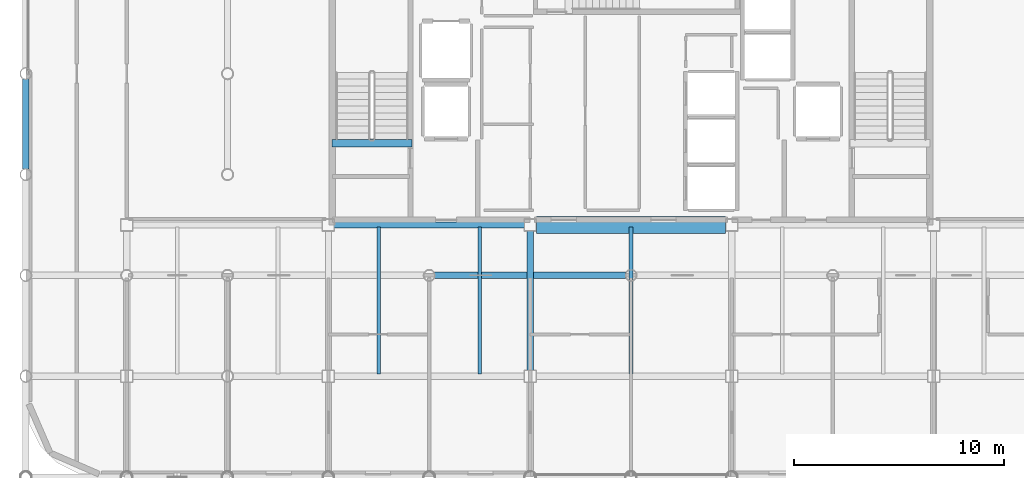
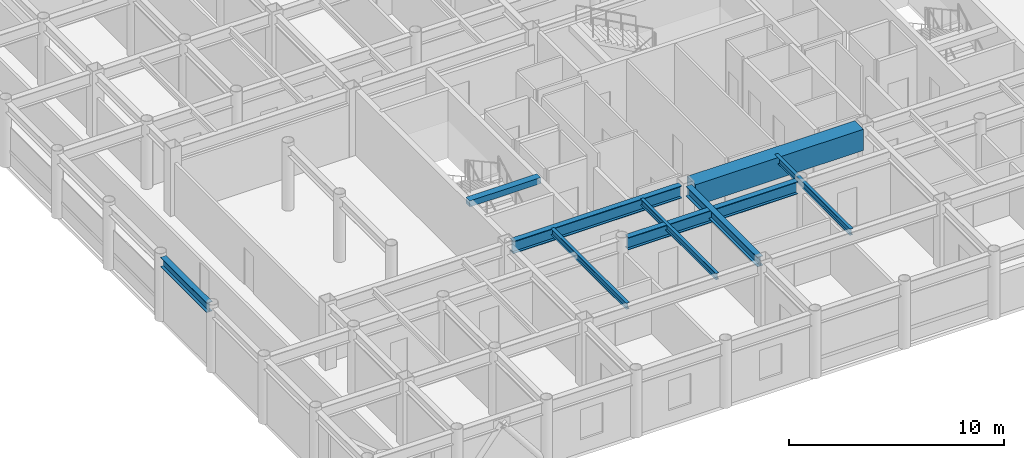
# One storey, part 5 of 23: 9 beams.
"""IFC4 building model written with IfcOpenShell, lengths in metres."""

import ifcopenshell
import ifcopenshell.guid

model = None  # the IFC model being written
_history = None  # IfcOwnerHistory: only IFC2X3 demands one
_inside = {}  # id of a spatial element -> (the spatial element, [elements in it])
_under = {}  # id of a project, library or spatial element -> (it, [spatial elements below it])
_declared = {}  # id of a project -> (the project, [libraries it declares])
_typed = {}  # id of a type object -> (the type object, [elements of that type])
_made_of = {}  # id of a material, layer set ... -> (it, [elements and type objects made of it])


def new_model(schema):
    """Start an empty IFC model of exactly this schema.

    Asked for "IFC4X3", IfcOpenShell would pick the latest addendum, in which some entities
    have other attributes; the version numbers below select the first issue.
    IFC2X3 requires an IfcOwnerHistory on every rooted entity: one is made here for all.
    """
    global model, _history
    if schema == "IFC4X3":
        model = ifcopenshell.file(schema_version=(4, 3, 0, 0))
    else:
        model = ifcopenshell.file(schema=schema)
    _inside.clear()
    _under.clear()
    _declared.clear()
    _typed.clear()
    _made_of.clear()
    _history = None
    if model.schema == "IFC2X3":
        org = make("IfcOrganization", Name="unknown")
        user = make(
            "IfcPersonAndOrganization",
            ThePerson=make("IfcPerson", FamilyName="unknown"),
            TheOrganization=org,
        )
        app = make(
            "IfcApplication",
            ApplicationDeveloper=org,
            Version="unknown",
            ApplicationFullName="unknown",
            ApplicationIdentifier="unknown",
        )
        _history = make(
            "IfcOwnerHistory",
            OwningUser=user,
            OwningApplication=app,
            ChangeAction="ADDED",
            CreationDate=0,
        )
    return model


def make(cls, **values):
    """One entity of the class cls with the attributes given. An attribute that is None is left unset."""
    return model.create_entity(
        cls, **{name: value for name, value in values.items() if value is not None}
    )


def rooted(cls, **values):
    """An entity with a GlobalId (a new one), such as an element, a storey or a relation."""
    return make(cls, GlobalId=ifcopenshell.guid.new(), OwnerHistory=_history, **values)


def si_unit(unit_type, name, prefix=None):
    """IfcSIUnit, for example si_unit("LENGTHUNIT", "METRE", prefix="MILLI")."""
    return make("IfcSIUnit", UnitType=unit_type, Prefix=prefix, Name=name)


def assignment(units):
    """IfcUnitAssignment: the units of a project."""
    return None if units is None else make("IfcUnitAssignment", Units=units)


def point(xyz):
    """IfcCartesianPoint."""
    return None if xyz is None else make("IfcCartesianPoint", Coordinates=xyz)


def direction(xyz):
    """IfcDirection."""
    return None if xyz is None else make("IfcDirection", DirectionRatios=xyz)


def frame(location, z_axis=None, x_axis=None):
    """IfcAxis2Placement3D, a coordinate frame: its origin and axes. An axis left out is left unset."""
    return make(
        "IfcAxis2Placement3D",
        Location=point(location),
        Axis=direction(z_axis),
        RefDirection=direction(x_axis),
    )


def frame_2d(location, x_axis=None):
    """IfcAxis2Placement2D, a coordinate frame in the plane: its origin and x axis."""
    return make(
        "IfcAxis2Placement2D", Location=point(location), RefDirection=direction(x_axis)
    )


def origin():
    """The frame at (0, 0, 0) with its axes left unset."""
    return frame((0.0, 0.0, 0.0))


def origin_2d():
    """The frame at (0, 0) in the plane with its x axis left unset."""
    return frame_2d((0.0, 0.0))


def place(relative_to, where):
    """IfcLocalPlacement: puts the frame where relative to a parent placement (None: the world)."""
    return make(
        "IfcLocalPlacement", PlacementRelTo=relative_to, RelativePlacement=where
    )


def context(
    kind, dimensions, precision=None, world=None, true_north=None, identifier=None
):
    """IfcGeometricRepresentationContext, for example the 3D "Model" context."""
    return make(
        "IfcGeometricRepresentationContext",
        ContextIdentifier=identifier,
        ContextType=kind,
        CoordinateSpaceDimension=dimensions,
        Precision=precision,
        WorldCoordinateSystem=world,
        TrueNorth=true_north,
    )


def subcontext(parent, identifier, kind, view, scale=None):
    """IfcGeometricRepresentationSubContext, for example "Body" below "Model"."""
    return make(
        "IfcGeometricRepresentationSubContext",
        ContextIdentifier=identifier,
        ContextType=kind,
        ParentContext=parent,
        TargetScale=scale,
        TargetView=view,
    )


def project(units=None, contexts=None):
    """IfcProject with its units and contexts."""
    return rooted(
        "IfcProject",
        Name="project",
        RepresentationContexts=contexts,
        UnitsInContext=assignment(units),
    )


def spatial(cls, under=None, at=None, **own):
    """A site, building, storey or space (cls), placed at a placement, below another one or the project."""
    s = rooted(cls, ObjectPlacement=at, **own)
    if under is not None:
        _under.setdefault(under.id(), (under, []))[1].append(s)
    return s


def profile(cls, at=None, kind="AREA", **sizes):
    """A parametric profile (cls). Its sizes go by their IFC names, for example OverallWidth=200.0."""
    return make(cls, ProfileType=kind, Position=at, **sizes)


def rectangle(**sizes):
    """IfcRectangleProfileDef."""
    return profile("IfcRectangleProfileDef", **sizes)


def i_section(**sizes):
    """IfcIShapeProfileDef."""
    return profile("IfcIShapeProfileDef", **sizes)


def extrude(swept, where, along, depth):
    """IfcExtrudedAreaSolid: the profile swept, set in the frame where, extruded along a direction by depth."""
    return make(
        "IfcExtrudedAreaSolid",
        SweptArea=swept,
        Position=where,
        ExtrudedDirection=direction(along),
        Depth=depth,
    )


def shape(context_of_items, identifier, shape_type, items):
    """IfcShapeRepresentation: the items that make up one representation, for example the "Body"."""
    return make(
        "IfcShapeRepresentation",
        ContextOfItems=context_of_items,
        RepresentationIdentifier=identifier,
        RepresentationType=shape_type,
        Items=items,
    )


def material(Name=None, Category=None):
    """IfcMaterial."""
    return make("IfcMaterial", Name=Name, Category=Category)


def material_profile(
    of_material, cross_section, Name=None, Category=None, Priority=None
):
    """IfcMaterialProfile: a cross section and its material."""
    return make(
        "IfcMaterialProfile",
        Name=Name,
        Material=of_material,
        Profile=cross_section,
        Priority=Priority,
        Category=Category,
    )


def profile_set(profiles, Name=None, composite=None):
    """IfcMaterialProfileSet."""
    return make(
        "IfcMaterialProfileSet",
        Name=Name,
        MaterialProfiles=profiles,
        CompositeProfile=composite,
    )


def made_of(thing, what):
    """Note that an element or type object is made of a material, layer set ...; save() writes the relation."""
    if what is not None:
        _made_of.setdefault(what.id(), (what, []))[1].append(thing)
    return thing


def type_object(cls, material=None, **own):
    """A type object (cls), such as IfcWallType, which elements share."""
    return made_of(rooted(cls, **own), material)


def element(
    cls,
    number,
    at=None,
    inside=None,
    cuts=None,
    type_object=None,
    material=None,
    context=None,
    identifier="Body",
    shape_type=None,
    held_by="IfcProductDefinitionShape",
    body=None,
    shapes=None,
    **own,
):
    """One element of the class cls, such as IfcWall. Its Tag is "e" and its number.

    at: its placement. inside: the storey or other place that contains it. cuts: it is an
    opening in that element (IfcRelVoidsElement). A single representation is given by context,
    identifier, shape_type and body (its items); several are given by shapes. held_by: the class
    of the entity that holds the representations. save() writes the other relations.
    """
    e = rooted(cls, Tag="e%d" % number, ObjectPlacement=at, **own)
    if body is not None:
        shapes = [shape(context, identifier, shape_type, body)]
    if shapes is not None:
        e.Representation = make(held_by, Representations=shapes)
    if inside is not None:
        _inside.setdefault(inside.id(), (inside, []))[1].append(e)
    if cuts is not None:
        rooted(
            "IfcRelVoidsElement", RelatingBuildingElement=cuts, RelatedOpeningElement=e
        )
    if type_object is not None:
        _typed.setdefault(type_object.id(), (type_object, []))[1].append(e)
    return made_of(e, material)


def aggregate(whole, parts):
    """IfcRelAggregates: a whole, such as a stair, and the parts it consists of."""
    return rooted("IfcRelAggregates", RelatingObject=whole, RelatedObjects=parts)


def save(model, path):
    """Write the relations noted so far, then the file.

    IfcRelAggregates (storeys below a building ...), IfcRelContainedInSpatialStructure (elements
    in a storey), IfcRelDefinesByType, IfcRelAssociatesMaterial and IfcRelDeclares: one each for
    every whole, place, type object, material and project.
    """
    for whole, parts in _under.values():
        aggregate(whole, parts)
    for where, things in _inside.values():
        rooted(
            "IfcRelContainedInSpatialStructure",
            RelatedElements=things,
            RelatingStructure=where,
        )
    for kind, things in _typed.values():
        rooted("IfcRelDefinesByType", RelatedObjects=things, RelatingType=kind)
    for what, things in _made_of.values():
        rooted("IfcRelAssociatesMaterial", RelatedObjects=things, RelatingMaterial=what)
    for by, libraries in _declared.values():
        rooted("IfcRelDeclares", RelatingContext=by, RelatedDefinitions=libraries)
    model.write(path)


model = new_model("IFC4")

# Units and contexts
model_context = context("Model", 3, precision=1e-05, world=origin(), true_north=direction((0.0, 1.0)))
body_context = subcontext(model_context, "Body", "Model", "MODEL_VIEW")
ifc_project = project(units=[si_unit("LENGTHUNIT", "METRE"), si_unit("AREAUNIT", "SQUARE_METRE"), si_unit("VOLUMEUNIT", "CUBIC_METRE"), si_unit("PLANEANGLEUNIT", "RADIAN"), si_unit("MASSUNIT", "GRAM", prefix="KILO")], contexts=[model_context])

# Site, building, storey
site_placement = place(None, origin())
site = spatial("IfcSite", under=ifc_project, at=site_placement, CompositionType="ELEMENT")
building_placement = place(site_placement, origin())
building = spatial("IfcBuilding", under=site, at=building_placement, Name="Kallvorn Hotel Tower", CompositionType="ELEMENT")
storey_placement = place(building_placement, frame((0.0, 0.0, 237.699951171875)))
storey = spatial("IfcBuildingStorey", under=building, at=storey_placement, Name="L59", CompositionType="ELEMENT", Elevation=237.699951171875)

# Beams
ifc_material_1 = material(Name="Structural steel S355JR", Category="steel")
ifc_material_profile_1 = material_profile(ifc_material_1, i_section(OverallWidth=0.300048828125, OverallDepth=0.550048828125, WebThickness=0.014892578125, FlangeThickness=0.029052734375, at=origin_2d()), Name="HE 550 B")
ifc_profile_set_1 = profile_set([ifc_material_profile_1], Name="Structural steel S355JR")
beam_type_1 = type_object("IfcBeamType", Name="BM_HE550B", PredefinedType="SPANDREL", material=ifc_profile_set_1)
beam_1_placement = place(storey_placement, frame((-28.800048828125, -4.54541015625, 3.39501953125), z_axis=(0.0, 1.0, 0.0), x_axis=(-1.0, 0.0, 0.0)))
element("IfcBeam", 1, at=beam_1_placement, inside=storey, type_object=beam_type_1, Name="L60 Primary Y-Girder 76", PredefinedType="SPANDREL", context=body_context, shape_type="SweptSolid", body=[
    extrude(i_section(OverallWidth=0.300048828125, OverallDepth=0.550048828125, WebThickness=0.014892578125, FlangeThickness=0.029052734375, at=origin_2d()), origin(), (0.0, 0.0, 1.0), 4.291015625),
])
beam_2_placement = place(storey_placement, frame((-4.800048828125, -14.125, 3.39501953125), z_axis=(0.0, 1.0, 0.0), x_axis=(-1.0, 0.0, 0.0)))
element("IfcBeam", 2, at=beam_2_placement, inside=storey, type_object=beam_type_1, Name="L60 Primary Y-Girder 106", PredefinedType="SPANDREL", context=body_context, shape_type="SweptSolid", body=[
    extrude(i_section(OverallWidth=0.300048828125, OverallDepth=0.550048828125, WebThickness=0.014892578125, FlangeThickness=0.029052734375, at=origin_2d()), origin(), (0.0, 0.0, 1.0), 6.64990234375),
])
ifc_material_2 = material(Name="Structural steel S355JR", Category="steel")
ifc_material_profile_2 = material_profile(ifc_material_2, i_section(OverallWidth=0.300048828125, OverallDepth=0.699951171875, WebThickness=0.01708984375, FlangeThickness=0.031982421875, at=origin_2d()), Name="HE 700 B")
ifc_profile_set_2 = profile_set([ifc_material_profile_2], Name="Structural steel S355JR")
beam_type_2 = type_object("IfcBeamType", Name="BM_HE700B", PredefinedType="BEAM", material=ifc_profile_set_2)
beam_3_placement = place(storey_placement, frame((-9.345458984375, -9.60009765625, 3.320068359375), z_axis=(1.0, 0.0, 0.0), x_axis=(0.0, 1.0, 0.0)))
element("IfcBeam", 3, at=beam_3_placement, inside=storey, type_object=beam_type_2, Name="L60 Primary X-Girder 26", PredefinedType="BEAM", context=body_context, shape_type="SweptSolid", body=[
    extrude(i_section(OverallWidth=0.300048828125, OverallDepth=0.699951171875, WebThickness=0.01708984375, FlangeThickness=0.031982421875, at=origin_2d()), origin(), (0.0, 0.0, 1.0), 9.091064453125),
])
beam_4_placement = place(storey_placement, frame((-14.125, -7.199951171875, 3.320068359375), z_axis=(1.0, 0.0, 0.0), x_axis=(0.0, 1.0, 0.0)))
element("IfcBeam", 4, at=beam_4_placement, inside=storey, type_object=beam_type_2, Name="L60 Primary X-Girder 33", PredefinedType="BEAM", context=body_context, shape_type="SweptSolid", body=[
    extrude(i_section(OverallWidth=0.300048828125, OverallDepth=0.699951171875, WebThickness=0.01708984375, FlangeThickness=0.031982421875, at=origin_2d()), origin(), (0.0, 0.0, 1.0), 9.050048828125),
])
ifc_material_3 = material(Name="Structural steel S355JR", Category="steel")
ifc_material_profile_3 = material_profile(ifc_material_3, i_section(OverallWidth=0.169921875, OverallDepth=0.360107421875, WebThickness=0.008056640625, FlangeThickness=0.0126953125, at=origin_2d()), Name="IPE 360")
ifc_profile_set_3 = profile_set([ifc_material_profile_3], Name="Structural steel S355JR")
beam_type_3 = type_object("IfcBeamType", Name="BM_IPE360", PredefinedType="JOIST", material=ifc_profile_set_3)
for number, where, z_axis, x_axis, name in (
    (5, (-12.0, -14.300048828125, 3.489990234375), (0.0, 1.0, 0.0), (-1.0, 0.0, 0.0), "L60 Secondary Composite Joist 196"),
    (6, (-7.199951171875, -14.300048828125, 3.489990234375), (0.0, 1.0, 0.0), (-1.0, 0.0, 0.0), "L60 Secondary Composite Joist 198"),
    (7, (0.0, -14.300048828125, 3.489990234375), (0.0, 1.0, 0.0), (-1.0, 0.0, 0.0), "L60 Secondary Composite Joist 200"),
):
    element("IfcBeam", number, at=place(storey_placement, frame(where, z_axis=z_axis, x_axis=x_axis)), inside=storey, type_object=beam_type_3, Name=name, PredefinedType="JOIST", context=body_context, shape_type="SweptSolid", body=[
        extrude(i_section(OverallWidth=0.169921875, OverallDepth=0.360107421875, WebThickness=0.008056640625, FlangeThickness=0.0126953125, at=origin_2d()), origin(), (0.0, 0.0, 1.0), 7.0),
    ])
ifc_material_4 = material(Name="Concrete C50/60", Category="concrete")
ifc_material_profile_4 = material_profile(ifc_material_4, rectangle(XDim=0.360107421875, YDim=0.340087890625, at=origin_2d()), Name="RC 360x340")
ifc_profile_set_4 = profile_set([ifc_material_profile_4], Name="Concrete C50/60")
beam_type_4 = type_object("IfcBeamType", Name="BM_RC_400x360", PredefinedType="BEAM", material=ifc_profile_set_4)
beam_5_placement = place(storey_placement, frame((-10.419921875, -3.31005859375, 3.5), z_axis=(-1.0, 0.0, 0.0), x_axis=(0.0, -1.0, 0.0)))
element("IfcBeam", 8, at=beam_5_placement, inside=storey, type_object=beam_type_4, Name="L60 Stair ST1 Arrival Trimmer Beam", PredefinedType="BEAM", context=body_context, shape_type="SweptSolid", body=[
    extrude(rectangle(XDim=0.360107421875, YDim=0.340087890625, at=origin_2d()), origin(), (0.0, 0.0, 1.0), 3.820068359375),
])
ifc_material_5 = material(Name="Concrete C50/60", Category="concrete")
ifc_material_profile_5 = material_profile(ifc_material_5, rectangle(XDim=0.800048828125, YDim=1.199951171875, at=origin_2d()), Name="RC 800x1200")
ifc_profile_set_5 = profile_set([ifc_material_profile_5], Name="Concrete C50/60")
beam_type_5 = type_object("IfcBeamType", Name="BM_RC_800x1200", PredefinedType="T_BEAM", material=ifc_profile_set_5)
beam_6_placement = place(storey_placement, frame((-4.5, -7.199951171875, 3.070068359375), z_axis=(1.0, 0.0, 0.0), x_axis=(0.0, 1.0, 0.0)))
element("IfcBeam", 9, at=beam_6_placement, inside=storey, type_object=beam_type_5, Name="L59 Core Coupling Beam South", PredefinedType="T_BEAM", context=body_context, shape_type="SweptSolid", body=[
    extrude(rectangle(XDim=0.800048828125, YDim=1.199951171875, at=origin_2d()), origin(), (0.0, 0.0, 1.0), 9.0),
])

save(model, "model.ifc")
